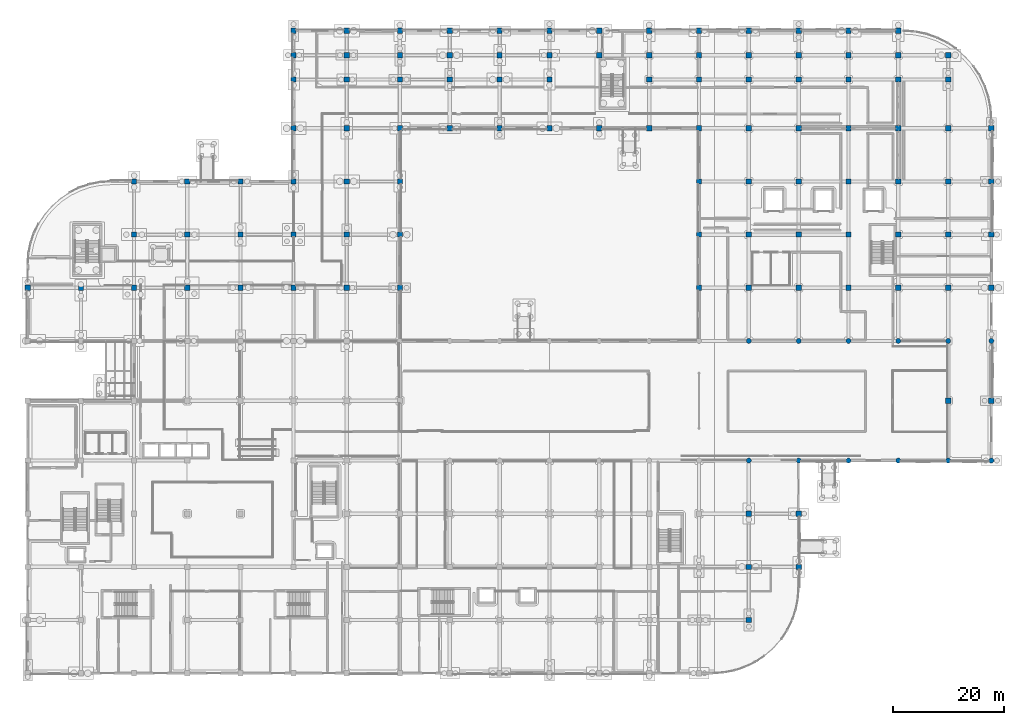
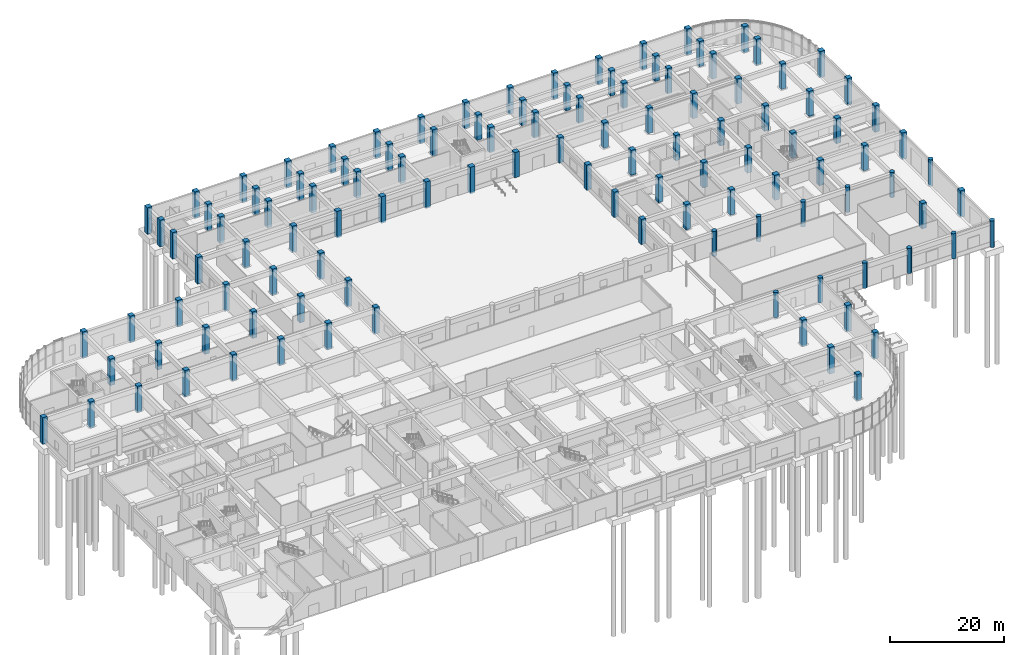
# One storey, part 8 of 74: 115 columns.
"""IFC4 building model written with IfcOpenShell, lengths in metres."""

from ifc_helpers import new_model, si_unit, direction, frame, origin, origin_2d, place, context, subcontext, project, spatial, rectangle, circle, extrude, material, material_profile, profile_set, type_object, element, save


model = new_model("IFC4")

# Units and contexts
model_context = context("Model", 3, precision=1e-05, world=origin(), true_north=direction((0.0, 1.0)))
body_context = subcontext(model_context, "Body", "Model", "MODEL_VIEW")
ifc_project = project(units=[si_unit("LENGTHUNIT", "METRE"), si_unit("AREAUNIT", "SQUARE_METRE"), si_unit("VOLUMEUNIT", "CUBIC_METRE"), si_unit("PLANEANGLEUNIT", "RADIAN"), si_unit("MASSUNIT", "GRAM", prefix="KILO")], contexts=[model_context])

# Site, building, storey
site_placement = place(None, origin())
site = spatial("IfcSite", under=ifc_project, at=site_placement, CompositionType="ELEMENT")
building_placement = place(site_placement, origin())
building = spatial("IfcBuilding", under=site, at=building_placement, Name="Cendralis Terraced Arcade", CompositionType="ELEMENT")
storey_placement = place(building_placement, origin())
storey = spatial("IfcBuildingStorey", under=building, at=storey_placement, Name="L00", CompositionType="ELEMENT", Elevation=0.0)

# Columns
ifc_material = material(Name="Concrete f'c 42 MPa", Category="concrete")
ifc_material_profile_1 = material_profile(ifc_material, rectangle(XDim=0.949951171875, YDim=0.949951171875, at=origin_2d()), Name="RC-COL-950x950", Category="LoadBearing")
ifc_profile_set_1 = profile_set([ifc_material_profile_1], Name="Concrete f'c 42 MPa")
column_type_1 = type_object("IfcColumnType", Name="COL-950", PredefinedType="COLUMN", material=ifc_profile_set_1)
for number, where, z_axis, x_axis, name in (
    (1, (0.0, 69.60009765625, -0.300048828125), (0.0, 0.0, 1.0), (1.0, 0.0, 0.0), "Reinforced Concrete Column 1-H (L00)"),
    (2, (85.199951171875, 98.39990234375, -0.300048828125), (0.0, 0.0, 1.0), (1.0, 0.0, 0.0), "Reinforced Concrete Column 10-L (L00)"),
    (3, (85.199951171875, 107.199951171875, -0.300048828125), (0.0, 0.0, 1.0), (1.0, 0.0, 0.0), "Reinforced Concrete Column 10-M (L00)"),
    (4, (85.199951171875, 111.60009765625, -0.300048828125), (0.0, 0.0, 1.0), (1.0, 0.0, 0.0), "Reinforced Concrete Column 10-N (L00)"),
    (5, (85.199951171875, 116.0, -0.300048828125), (0.0, 0.0, 1.0), (1.0, 0.0, 0.0), "Reinforced Concrete Column 10-P (L00)"),
    (6, (94.199951171875, 98.39990234375, -0.300048828125), (0.0, 0.0, 1.0), (1.0, 0.0, 0.0), "Reinforced Concrete Column 11-L (L00)"),
    (7, (94.199951171875, 107.199951171875, -0.300048828125), (0.0, 0.0, 1.0), (1.0, 0.0, 0.0), "Reinforced Concrete Column 11-M (L00)"),
    (8, (94.199951171875, 111.60009765625, -0.300048828125), (0.0, 0.0, 1.0), (1.0, 0.0, 0.0), "Reinforced Concrete Column 11-N (L00)"),
    (9, (94.199951171875, 116.0, -0.300048828125), (0.0, 0.0, 1.0), (1.0, 0.0, 0.0), "Reinforced Concrete Column 11-P (L00)"),
    (10, (103.199951171875, 98.39990234375, -0.300048828125), (0.0, 0.0, 1.0), (1.0, 0.0, 0.0), "Reinforced Concrete Column 12-L (L00)"),
    (11, (103.199951171875, 111.60009765625, -0.300048828125), (0.0, 0.0, 1.0), (1.0, 0.0, 0.0), "Reinforced Concrete Column 12-N (L00)"),
    (12, (103.199951171875, 116.0, -0.300048828125), (0.0, 0.0, 1.0), (1.0, 0.0, 0.0), "Reinforced Concrete Column 12-P (L00)"),
):
    element("IfcColumn", number, at=place(storey_placement, frame(where, z_axis=z_axis, x_axis=x_axis)), inside=storey, type_object=column_type_1, Name=name, PredefinedType="COLUMN", context=body_context, shape_type="SweptSolid", body=[
        extrude(rectangle(XDim=0.949951171875, YDim=0.949951171875, at=origin_2d()), origin(), (0.0, 0.0, 1.0), 5.699951171875),
    ])
for number, where, z_axis, x_axis, name in (
    (13, (112.199951171875, 98.39990234375, 0.0), (0.0, 0.0, 1.0), (1.0, 0.0, 0.0), "Reinforced Concrete Column 13-L (L00)"),
    (14, (112.199951171875, 107.199951171875, 0.0), (0.0, 0.0, 1.0), (1.0, 0.0, 0.0), "Reinforced Concrete Column 13-M (L00)"),
    (15, (112.199951171875, 111.60009765625, 0.0), (0.0, 0.0, 1.0), (1.0, 0.0, 0.0), "Reinforced Concrete Column 13-N (L00)"),
):
    element("IfcColumn", number, at=place(storey_placement, frame(where, z_axis=z_axis, x_axis=x_axis)), inside=storey, type_object=column_type_1, Name=name, PredefinedType="COLUMN", context=body_context, shape_type="SweptSolid", body=[
        extrude(rectangle(XDim=0.949951171875, YDim=0.949951171875, at=origin_2d()), origin(), (0.0, 0.0, 1.0), 5.39990234375),
    ])
column_1_placement = place(storey_placement, frame((112.199951171875, 116.0, -0.300048828125), z_axis=(0.0, 0.0, 1.0), x_axis=(1.0, 0.0, 0.0)))
element("IfcColumn", 16, at=column_1_placement, inside=storey, type_object=column_type_1, Name="Reinforced Concrete Column 13-P (L00)", PredefinedType="COLUMN", context=body_context, shape_type="SweptSolid", body=[
    extrude(rectangle(XDim=0.949951171875, YDim=0.949951171875, at=origin_2d()), origin(), (0.0, 0.0, 1.0), 5.699951171875),
])
for number, where, z_axis, x_axis, name in (
    (17, (121.199951171875, 69.60009765625, 0.0), (0.0, 0.0, 1.0), (1.0, 0.0, 0.0), "Reinforced Concrete Column 14-H (L00)"),
    (18, (121.199951171875, 79.199951171875, 0.0), (0.0, 0.0, 1.0), (1.0, 0.0, 0.0), "Reinforced Concrete Column 14-J (L00)"),
    (19, (121.199951171875, 88.800048828125, 0.0), (0.0, 0.0, 1.0), (1.0, 0.0, 0.0), "Reinforced Concrete Column 14-K (L00)"),
    (20, (121.199951171875, 98.39990234375, 0.0), (0.0, 0.0, 1.0), (1.0, 0.0, 0.0), "Reinforced Concrete Column 14-L (L00)"),
    (21, (121.199951171875, 107.199951171875, 0.0), (0.0, 0.0, 1.0), (1.0, 0.0, 0.0), "Reinforced Concrete Column 14-M (L00)"),
    (22, (121.199951171875, 111.60009765625, 0.0), (0.0, 0.0, 1.0), (1.0, 0.0, 0.0), "Reinforced Concrete Column 14-N (L00)"),
):
    element("IfcColumn", number, at=place(storey_placement, frame(where, z_axis=z_axis, x_axis=x_axis)), inside=storey, type_object=column_type_1, Name=name, PredefinedType="COLUMN", context=body_context, shape_type="SweptSolid", body=[
        extrude(rectangle(XDim=0.949951171875, YDim=0.949951171875, at=origin_2d()), origin(), (0.0, 0.0, 1.0), 5.39990234375),
    ])
for number, where, z_axis, x_axis, name in (
    (23, (121.199951171875, 116.0, -0.300048828125), (0.0, 0.0, 1.0), (1.0, 0.0, 0.0), "Reinforced Concrete Column 14-P (L00)"),
    (24, (130.199951171875, 9.60009765625, -0.300048828125), (0.0, 0.0, 1.0), (1.0, 0.0, 0.0), "Reinforced Concrete Column 15-B (L00)"),
    (25, (130.199951171875, 19.199951171875, -0.300048828125), (0.0, 0.0, 1.0), (1.0, 0.0, 0.0), "Reinforced Concrete Column 15-C (L00)"),
    (26, (130.199951171875, 28.800048828125, -0.300048828125), (0.0, 0.0, 1.0), (1.0, 0.0, 0.0), "Reinforced Concrete Column 15-D (L00)"),
):
    element("IfcColumn", number, at=place(storey_placement, frame(where, z_axis=z_axis, x_axis=x_axis)), inside=storey, type_object=column_type_1, Name=name, PredefinedType="COLUMN", context=body_context, shape_type="SweptSolid", body=[
        extrude(rectangle(XDim=0.949951171875, YDim=0.949951171875, at=origin_2d()), origin(), (0.0, 0.0, 1.0), 5.699951171875),
    ])
for number, where, z_axis, x_axis, name in (
    (27, (130.199951171875, 69.60009765625, 0.0), (0.0, 0.0, 1.0), (1.0, 0.0, 0.0), "Reinforced Concrete Column 15-H (L00)"),
    (28, (130.199951171875, 79.199951171875, 0.0), (0.0, 0.0, 1.0), (1.0, 0.0, 0.0), "Reinforced Concrete Column 15-J (L00)"),
    (29, (130.199951171875, 88.800048828125, 0.0), (0.0, 0.0, 1.0), (1.0, 0.0, 0.0), "Reinforced Concrete Column 15-K (L00)"),
    (30, (130.199951171875, 98.39990234375, 0.0), (0.0, 0.0, 1.0), (1.0, 0.0, 0.0), "Reinforced Concrete Column 15-L (L00)"),
    (31, (130.199951171875, 107.199951171875, 0.0), (0.0, 0.0, 1.0), (1.0, 0.0, 0.0), "Reinforced Concrete Column 15-M (L00)"),
    (32, (130.199951171875, 111.60009765625, 0.0), (0.0, 0.0, 1.0), (1.0, 0.0, 0.0), "Reinforced Concrete Column 15-N (L00)"),
):
    element("IfcColumn", number, at=place(storey_placement, frame(where, z_axis=z_axis, x_axis=x_axis)), inside=storey, type_object=column_type_1, Name=name, PredefinedType="COLUMN", context=body_context, shape_type="SweptSolid", body=[
        extrude(rectangle(XDim=0.949951171875, YDim=0.949951171875, at=origin_2d()), origin(), (0.0, 0.0, 1.0), 5.39990234375),
    ])
for number, where, z_axis, x_axis, name in (
    (33, (130.199951171875, 116.0, -0.300048828125), (0.0, 0.0, 1.0), (1.0, 0.0, 0.0), "Reinforced Concrete Column 15-P (L00)"),
    (34, (139.199951171875, 19.199951171875, -0.300048828125), (0.0, 0.0, 1.0), (1.0, 0.0, 0.0), "Reinforced Concrete Column 16-C (L00)"),
    (35, (139.199951171875, 28.800048828125, -0.300048828125), (0.0, 0.0, 1.0), (1.0, 0.0, 0.0), "Reinforced Concrete Column 16-D (L00)"),
):
    element("IfcColumn", number, at=place(storey_placement, frame(where, z_axis=z_axis, x_axis=x_axis)), inside=storey, type_object=column_type_1, Name=name, PredefinedType="COLUMN", context=body_context, shape_type="SweptSolid", body=[
        extrude(rectangle(XDim=0.949951171875, YDim=0.949951171875, at=origin_2d()), origin(), (0.0, 0.0, 1.0), 5.699951171875),
    ])
for number, where, z_axis, x_axis, name in (
    (36, (139.199951171875, 69.60009765625, 0.0), (0.0, 0.0, 1.0), (1.0, 0.0, 0.0), "Reinforced Concrete Column 16-H (L00)"),
    (37, (139.199951171875, 79.199951171875, 0.0), (0.0, 0.0, 1.0), (1.0, 0.0, 0.0), "Reinforced Concrete Column 16-J (L00)"),
    (38, (139.199951171875, 88.800048828125, 0.0), (0.0, 0.0, 1.0), (1.0, 0.0, 0.0), "Reinforced Concrete Column 16-K (L00)"),
    (39, (139.199951171875, 98.39990234375, 0.0), (0.0, 0.0, 1.0), (1.0, 0.0, 0.0), "Reinforced Concrete Column 16-L (L00)"),
    (40, (139.199951171875, 107.199951171875, 0.0), (0.0, 0.0, 1.0), (1.0, 0.0, 0.0), "Reinforced Concrete Column 16-M (L00)"),
    (41, (139.199951171875, 111.60009765625, 0.0), (0.0, 0.0, 1.0), (1.0, 0.0, 0.0), "Reinforced Concrete Column 16-N (L00)"),
):
    element("IfcColumn", number, at=place(storey_placement, frame(where, z_axis=z_axis, x_axis=x_axis)), inside=storey, type_object=column_type_1, Name=name, PredefinedType="COLUMN", context=body_context, shape_type="SweptSolid", body=[
        extrude(rectangle(XDim=0.949951171875, YDim=0.949951171875, at=origin_2d()), origin(), (0.0, 0.0, 1.0), 5.39990234375),
    ])
column_2_placement = place(storey_placement, frame((139.199951171875, 116.0, -0.300048828125), z_axis=(0.0, 0.0, 1.0), x_axis=(1.0, 0.0, 0.0)))
element("IfcColumn", 42, at=column_2_placement, inside=storey, type_object=column_type_1, Name="Reinforced Concrete Column 16-P (L00)", PredefinedType="COLUMN", context=body_context, shape_type="SweptSolid", body=[
    extrude(rectangle(XDim=0.949951171875, YDim=0.949951171875, at=origin_2d()), origin(), (0.0, 0.0, 1.0), 5.699951171875),
])
for number, where, z_axis, x_axis, name in (
    (43, (148.199951171875, 69.60009765625, 0.0), (0.0, 0.0, 1.0), (1.0, 0.0, 0.0), "Reinforced Concrete Column 17-H (L00)"),
    (44, (148.199951171875, 79.199951171875, 0.0), (0.0, 0.0, 1.0), (1.0, 0.0, 0.0), "Reinforced Concrete Column 17-J (L00)"),
    (45, (148.199951171875, 88.800048828125, 0.0), (0.0, 0.0, 1.0), (1.0, 0.0, 0.0), "Reinforced Concrete Column 17-K (L00)"),
    (46, (148.199951171875, 98.39990234375, 0.0), (0.0, 0.0, 1.0), (1.0, 0.0, 0.0), "Reinforced Concrete Column 17-L (L00)"),
    (47, (148.199951171875, 107.199951171875, 0.0), (0.0, 0.0, 1.0), (1.0, 0.0, 0.0), "Reinforced Concrete Column 17-M (L00)"),
    (48, (148.199951171875, 111.60009765625, 0.0), (0.0, 0.0, 1.0), (1.0, 0.0, 0.0), "Reinforced Concrete Column 17-N (L00)"),
):
    element("IfcColumn", number, at=place(storey_placement, frame(where, z_axis=z_axis, x_axis=x_axis)), inside=storey, type_object=column_type_1, Name=name, PredefinedType="COLUMN", context=body_context, shape_type="SweptSolid", body=[
        extrude(rectangle(XDim=0.949951171875, YDim=0.949951171875, at=origin_2d()), origin(), (0.0, 0.0, 1.0), 5.39990234375),
    ])
column_3_placement = place(storey_placement, frame((148.199951171875, 116.0, -0.300048828125), z_axis=(0.0, 0.0, 1.0), x_axis=(1.0, 0.0, 0.0)))
element("IfcColumn", 49, at=column_3_placement, inside=storey, type_object=column_type_1, Name="Reinforced Concrete Column 17-P (L00)", PredefinedType="COLUMN", context=body_context, shape_type="SweptSolid", body=[
    extrude(rectangle(XDim=0.949951171875, YDim=0.949951171875, at=origin_2d()), origin(), (0.0, 0.0, 1.0), 5.699951171875),
])
for number, where, z_axis, x_axis, name in (
    (50, (157.199951171875, 69.60009765625, 0.0), (0.0, 0.0, 1.0), (1.0, 0.0, 0.0), "Reinforced Concrete Column 18-H (L00)"),
    (51, (157.199951171875, 79.199951171875, 0.0), (0.0, 0.0, 1.0), (1.0, 0.0, 0.0), "Reinforced Concrete Column 18-J (L00)"),
    (52, (157.199951171875, 88.800048828125, 0.0), (0.0, 0.0, 1.0), (1.0, 0.0, 0.0), "Reinforced Concrete Column 18-K (L00)"),
    (53, (157.199951171875, 98.39990234375, 0.0), (0.0, 0.0, 1.0), (1.0, 0.0, 0.0), "Reinforced Concrete Column 18-L (L00)"),
    (54, (157.199951171875, 107.199951171875, 0.0), (0.0, 0.0, 1.0), (1.0, 0.0, 0.0), "Reinforced Concrete Column 18-M (L00)"),
    (55, (157.199951171875, 111.60009765625, 0.0), (0.0, 0.0, 1.0), (1.0, 0.0, 0.0), "Reinforced Concrete Column 18-N (L00)"),
):
    element("IfcColumn", number, at=place(storey_placement, frame(where, z_axis=z_axis, x_axis=x_axis)), inside=storey, type_object=column_type_1, Name=name, PredefinedType="COLUMN", context=body_context, shape_type="SweptSolid", body=[
        extrude(rectangle(XDim=0.949951171875, YDim=0.949951171875, at=origin_2d()), origin(), (0.0, 0.0, 1.0), 5.39990234375),
    ])
column_4_placement = place(storey_placement, frame((157.199951171875, 116.0, -0.300048828125), z_axis=(0.0, 0.0, 1.0), x_axis=(1.0, 0.0, 0.0)))
element("IfcColumn", 56, at=column_4_placement, inside=storey, type_object=column_type_1, Name="Reinforced Concrete Column 18-P (L00)", PredefinedType="COLUMN", context=body_context, shape_type="SweptSolid", body=[
    extrude(rectangle(XDim=0.949951171875, YDim=0.949951171875, at=origin_2d()), origin(), (0.0, 0.0, 1.0), 5.699951171875),
])
for number, where, z_axis, x_axis, name in (
    (57, (166.199951171875, 49.199951171875, 0.0), (0.0, 0.0, 1.0), (1.0, 0.0, 0.0), "Reinforced Concrete Column 19-F (L00)"),
    (58, (166.199951171875, 69.60009765625, 0.0), (0.0, 0.0, 1.0), (1.0, 0.0, 0.0), "Reinforced Concrete Column 19-H (L00)"),
    (59, (166.199951171875, 79.199951171875, 0.0), (0.0, 0.0, 1.0), (1.0, 0.0, 0.0), "Reinforced Concrete Column 19-J (L00)"),
    (60, (166.199951171875, 88.800048828125, 0.0), (0.0, 0.0, 1.0), (1.0, 0.0, 0.0), "Reinforced Concrete Column 19-K (L00)"),
    (61, (166.199951171875, 98.39990234375, 0.0), (0.0, 0.0, 1.0), (1.0, 0.0, 0.0), "Reinforced Concrete Column 19-L (L00)"),
):
    element("IfcColumn", number, at=place(storey_placement, frame(where, z_axis=z_axis, x_axis=x_axis)), inside=storey, type_object=column_type_1, Name=name, PredefinedType="COLUMN", context=body_context, shape_type="SweptSolid", body=[
        extrude(rectangle(XDim=0.949951171875, YDim=0.949951171875, at=origin_2d()), origin(), (0.0, 0.0, 1.0), 5.39990234375),
    ])
for number, where, z_axis, x_axis, name in (
    (62, (166.199951171875, 107.199951171875, -0.300048828125), (0.0, 0.0, 1.0), (1.0, 0.0, 0.0), "Reinforced Concrete Column 19-M (L00)"),
    (63, (166.199951171875, 111.60009765625, -0.300048828125), (0.0, 0.0, 1.0), (1.0, 0.0, 0.0), "Reinforced Concrete Column 19-N (L00)"),
    (64, (9.60009765625, 69.60009765625, -0.300048828125), (0.0, 0.0, 1.0), (1.0, 0.0, 0.0), "Reinforced Concrete Column 2-H (L00)"),
    (65, (174.0, 49.199951171875, -0.300048828125), (0.0, 0.0, 1.0), (1.0, 0.0, 0.0), "Reinforced Concrete Column 20-F (L00)"),
    (66, (174.0, 69.60009765625, -0.300048828125), (0.0, 0.0, 1.0), (1.0, 0.0, 0.0), "Reinforced Concrete Column 20-H (L00)"),
    (67, (174.0, 79.199951171875, -0.300048828125), (0.0, 0.0, 1.0), (1.0, 0.0, 0.0), "Reinforced Concrete Column 20-J (L00)"),
    (68, (174.0, 88.800048828125, -0.300048828125), (0.0, 0.0, 1.0), (1.0, 0.0, 0.0), "Reinforced Concrete Column 20-K (L00)"),
    (69, (174.0, 98.39990234375, -0.300048828125), (0.0, 0.0, 1.0), (1.0, 0.0, 0.0), "Reinforced Concrete Column 20-L (L00)"),
    (70, (19.199951171875, 69.60009765625, -0.300048828125), (0.0, 0.0, 1.0), (1.0, 0.0, 0.0), "Reinforced Concrete Column 3-H (L00)"),
    (71, (19.199951171875, 79.199951171875, -0.300048828125), (0.0, 0.0, 1.0), (1.0, 0.0, 0.0), "Reinforced Concrete Column 3-J (L00)"),
    (72, (19.199951171875, 88.800048828125, -0.300048828125), (0.0, 0.0, 1.0), (1.0, 0.0, 0.0), "Reinforced Concrete Column 3-K (L00)"),
    (73, (28.800048828125, 69.60009765625, -0.300048828125), (0.0, 0.0, 1.0), (1.0, 0.0, 0.0), "Reinforced Concrete Column 4-H (L00)"),
    (74, (28.800048828125, 79.199951171875, -0.300048828125), (0.0, 0.0, 1.0), (1.0, 0.0, 0.0), "Reinforced Concrete Column 4-J (L00)"),
    (75, (28.800048828125, 88.800048828125, -0.300048828125), (0.0, 0.0, 1.0), (1.0, 0.0, 0.0), "Reinforced Concrete Column 4-K (L00)"),
    (76, (38.39990234375, 69.60009765625, -0.300048828125), (0.0, 0.0, 1.0), (1.0, 0.0, 0.0), "Reinforced Concrete Column 5-H (L00)"),
    (77, (38.39990234375, 79.199951171875, -0.300048828125), (0.0, 0.0, 1.0), (1.0, 0.0, 0.0), "Reinforced Concrete Column 5-J (L00)"),
    (78, (38.39990234375, 88.800048828125, -0.300048828125), (0.0, 0.0, 1.0), (1.0, 0.0, 0.0), "Reinforced Concrete Column 5-K (L00)"),
    (79, (48.0, 69.60009765625, -0.300048828125), (0.0, 0.0, 1.0), (1.0, 0.0, 0.0), "Reinforced Concrete Column 6-H (L00)"),
    (80, (48.0, 79.199951171875, -0.300048828125), (0.0, 0.0, 1.0), (1.0, 0.0, 0.0), "Reinforced Concrete Column 6-J (L00)"),
    (81, (48.0, 88.800048828125, -0.300048828125), (0.0, 0.0, 1.0), (1.0, 0.0, 0.0), "Reinforced Concrete Column 6-K (L00)"),
    (82, (48.0, 98.39990234375, -0.300048828125), (0.0, 0.0, 1.0), (1.0, 0.0, 0.0), "Reinforced Concrete Column 6-L (L00)"),
    (83, (48.0, 107.199951171875, -0.300048828125), (0.0, 0.0, 1.0), (1.0, 0.0, 0.0), "Reinforced Concrete Column 6-M (L00)"),
    (84, (48.0, 111.60009765625, -0.300048828125), (0.0, 0.0, 1.0), (1.0, 0.0, 0.0), "Reinforced Concrete Column 6-N (L00)"),
    (85, (48.0, 116.0, -0.300048828125), (0.0, 0.0, 1.0), (1.0, 0.0, 0.0), "Reinforced Concrete Column 6-P (L00)"),
    (86, (57.60009765625, 69.60009765625, -0.300048828125), (0.0, 0.0, 1.0), (1.0, 0.0, 0.0), "Reinforced Concrete Column 7-H (L00)"),
    (87, (57.60009765625, 79.199951171875, -0.300048828125), (0.0, 0.0, 1.0), (1.0, 0.0, 0.0), "Reinforced Concrete Column 7-J (L00)"),
    (88, (57.60009765625, 88.800048828125, -0.300048828125), (0.0, 0.0, 1.0), (1.0, 0.0, 0.0), "Reinforced Concrete Column 7-K (L00)"),
    (89, (57.60009765625, 98.39990234375, -0.300048828125), (0.0, 0.0, 1.0), (1.0, 0.0, 0.0), "Reinforced Concrete Column 7-L (L00)"),
    (90, (57.60009765625, 107.199951171875, -0.300048828125), (0.0, 0.0, 1.0), (1.0, 0.0, 0.0), "Reinforced Concrete Column 7-M (L00)"),
    (91, (57.60009765625, 111.60009765625, -0.300048828125), (0.0, 0.0, 1.0), (1.0, 0.0, 0.0), "Reinforced Concrete Column 7-N (L00)"),
    (92, (57.60009765625, 116.0, -0.300048828125), (0.0, 0.0, 1.0), (1.0, 0.0, 0.0), "Reinforced Concrete Column 7-P (L00)"),
    (93, (67.199951171875, 69.60009765625, -0.300048828125), (0.0, 0.0, 1.0), (1.0, 0.0, 0.0), "Reinforced Concrete Column 8-H (L00)"),
    (94, (67.199951171875, 79.199951171875, -0.300048828125), (0.0, 0.0, 1.0), (1.0, 0.0, 0.0), "Reinforced Concrete Column 8-J (L00)"),
    (95, (67.199951171875, 88.800048828125, -0.300048828125), (0.0, 0.0, 1.0), (1.0, 0.0, 0.0), "Reinforced Concrete Column 8-K (L00)"),
    (96, (67.199951171875, 98.39990234375, -0.300048828125), (0.0, 0.0, 1.0), (1.0, 0.0, 0.0), "Reinforced Concrete Column 8-L (L00)"),
    (97, (67.199951171875, 107.199951171875, -0.300048828125), (0.0, 0.0, 1.0), (1.0, 0.0, 0.0), "Reinforced Concrete Column 8-M (L00)"),
    (98, (67.199951171875, 111.60009765625, -0.300048828125), (0.0, 0.0, 1.0), (1.0, 0.0, 0.0), "Reinforced Concrete Column 8-N (L00)"),
    (99, (67.199951171875, 116.0, -0.300048828125), (0.0, 0.0, 1.0), (1.0, 0.0, 0.0), "Reinforced Concrete Column 8-P (L00)"),
    (100, (76.199951171875, 98.39990234375, -0.300048828125), (0.0, 0.0, 1.0), (1.0, 0.0, 0.0), "Reinforced Concrete Column 9-L (L00)"),
    (101, (76.199951171875, 107.199951171875, -0.300048828125), (0.0, 0.0, 1.0), (1.0, 0.0, 0.0), "Reinforced Concrete Column 9-M (L00)"),
    (102, (76.199951171875, 111.60009765625, -0.300048828125), (0.0, 0.0, 1.0), (1.0, 0.0, 0.0), "Reinforced Concrete Column 9-N (L00)"),
    (103, (76.199951171875, 116.0, -0.300048828125), (0.0, 0.0, 1.0), (1.0, 0.0, 0.0), "Reinforced Concrete Column 9-P (L00)"),
):
    element("IfcColumn", number, at=place(storey_placement, frame(where, z_axis=z_axis, x_axis=x_axis)), inside=storey, type_object=column_type_1, Name=name, PredefinedType="COLUMN", context=body_context, shape_type="SweptSolid", body=[
        extrude(rectangle(XDim=0.949951171875, YDim=0.949951171875, at=origin_2d()), origin(), (0.0, 0.0, 1.0), 5.699951171875),
    ])
ifc_material_profile_2 = material_profile(ifc_material, circle(Radius=0.449951171875, at=origin_2d()), Name="RC-COL-D900", Category="LoadBearing")
ifc_profile_set_2 = profile_set([ifc_material_profile_2], Name="Concrete f'c 42 MPa")
column_type_2 = type_object("IfcColumnType", Name="COL-D900", PredefinedType="COLUMN", material=ifc_profile_set_2)
for number, where, z_axis, x_axis, name in (
    (104, (130.199951171875, 38.39990234375, 0.0), (0.0, 0.0, 1.0), (1.0, 0.0, 0.0), "Reinforced Concrete Column 15-E (L00)"),
    (105, (130.199951171875, 60.0, 0.0), (0.0, 0.0, 1.0), (1.0, 0.0, 0.0), "Reinforced Concrete Column 15-G (L00)"),
    (106, (139.199951171875, 38.39990234375, 0.0), (0.0, 0.0, 1.0), (1.0, 0.0, 0.0), "Reinforced Concrete Column 16-E (L00)"),
    (107, (139.199951171875, 60.0, 0.0), (0.0, 0.0, 1.0), (1.0, 0.0, 0.0), "Reinforced Concrete Column 16-G (L00)"),
    (108, (148.199951171875, 38.39990234375, 0.0), (0.0, 0.0, 1.0), (1.0, 0.0, 0.0), "Reinforced Concrete Column 17-E (L00)"),
    (109, (148.199951171875, 60.0, 0.0), (0.0, 0.0, 1.0), (1.0, 0.0, 0.0), "Reinforced Concrete Column 17-G (L00)"),
    (110, (157.199951171875, 38.39990234375, 0.0), (0.0, 0.0, 1.0), (1.0, 0.0, 0.0), "Reinforced Concrete Column 18-E (L00)"),
    (111, (157.199951171875, 60.0, 0.0), (0.0, 0.0, 1.0), (1.0, 0.0, 0.0), "Reinforced Concrete Column 18-G (L00)"),
    (112, (166.199951171875, 38.39990234375, 0.0), (0.0, 0.0, 1.0), (1.0, 0.0, 0.0), "Reinforced Concrete Column 19-E (L00)"),
    (113, (166.199951171875, 60.0, 0.0), (0.0, 0.0, 1.0), (1.0, 0.0, 0.0), "Reinforced Concrete Column 19-G (L00)"),
):
    element("IfcColumn", number, at=place(storey_placement, frame(where, z_axis=z_axis, x_axis=x_axis)), inside=storey, type_object=column_type_2, Name=name, PredefinedType="COLUMN", context=body_context, shape_type="SweptSolid", body=[
        extrude(circle(Radius=0.449951171875, at=origin_2d()), origin(), (0.0, 0.0, 1.0), 5.39990234375),
    ])
for number, where, z_axis, x_axis, name in (
    (114, (174.0, 38.39990234375, -0.300048828125), (0.0, 0.0, 1.0), (1.0, 0.0, 0.0), "Reinforced Concrete Column 20-E (L00)"),
    (115, (174.0, 60.0, -0.300048828125), (0.0, 0.0, 1.0), (1.0, 0.0, 0.0), "Reinforced Concrete Column 20-G (L00)"),
):
    element("IfcColumn", number, at=place(storey_placement, frame(where, z_axis=z_axis, x_axis=x_axis)), inside=storey, type_object=column_type_2, Name=name, PredefinedType="COLUMN", context=body_context, shape_type="SweptSolid", body=[
        extrude(circle(Radius=0.449951171875, at=origin_2d()), origin(), (0.0, 0.0, 1.0), 5.699951171875),
    ])

save(model, "model.ifc")
